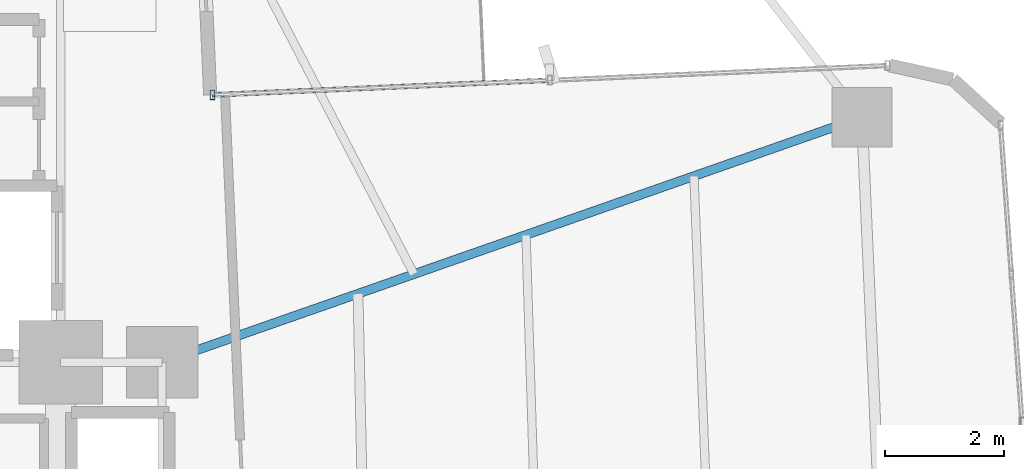
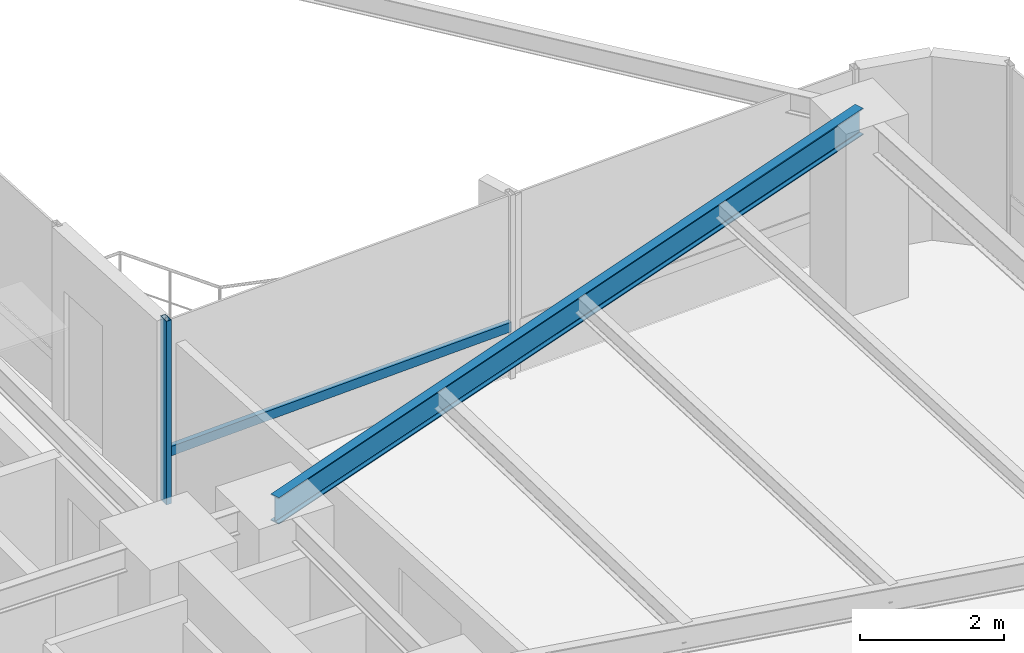
# One storey, part 13 of 26: 2 members, 1 beam, 1 element without a shape of its own.
"""IFC4 building model written with IfcOpenShell, lengths in metres."""

from ifc_helpers import new_model, si_unit, direction, frame, origin, origin_2d, place, context, subcontext, project, spatial, hollow_rectangle, i_section, extrude, source, transform, mapped, material, material_profile, profile_set, type_object, element, aggregate, save


model = new_model("IFC4")

# Units and contexts
model_context = context("Model", 3, precision=1e-05, world=origin(), true_north=direction((0.0, 1.0)))
body_context = subcontext(model_context, "Body", "Model", "MODEL_VIEW")
ifc_project = project(units=[si_unit("LENGTHUNIT", "METRE"), si_unit("AREAUNIT", "SQUARE_METRE"), si_unit("VOLUMEUNIT", "CUBIC_METRE"), si_unit("PLANEANGLEUNIT", "RADIAN"), si_unit("MASSUNIT", "GRAM", prefix="KILO")], contexts=[model_context])

# Site, building, storey
site_placement = place(None, origin())
site = spatial("IfcSite", under=ifc_project, at=site_placement, CompositionType="ELEMENT")
building_placement = place(site_placement, origin())
building = spatial("IfcBuilding", under=site, at=building_placement, Name="Sahyath Konkavel Grand Hotel", CompositionType="ELEMENT")
storey_placement = place(building_placement, frame((0.0, 0.0, 121.5)))
storey = spatial("IfcBuildingStorey", under=building, at=storey_placement, Name="L33", CompositionType="ELEMENT", Elevation=121.5)

# Beam
ifc_material_1 = material(Name="Steel E350", Category="steel")
ifc_material_profile_1 = material_profile(ifc_material_1, i_section(OverallWidth=0.14990234375, OverallDepth=0.449951171875, WebThickness=0.009521484375, FlangeThickness=0.017333984375, FilletRadius=0.014892578125, at=origin_2d()), Name="ISMB 450")
ifc_profile_set_1 = profile_set([ifc_material_profile_1], Name="Steel E350")
beam_type = type_object("IfcBeamType", Name="BM-ISMB450", PredefinedType="BEAM", material=ifc_profile_set_1)
shared_shape_1 = source(origin(), body_context, "Body", "SweptSolid", [
    extrude(i_section(OverallWidth=0.14990234375, OverallDepth=0.449951171875, WebThickness=0.009521484375, FlangeThickness=0.017333984375, FilletRadius=0.014892578125, at=origin_2d()), origin(), (0.0, 0.0, 1.0), 12.430908203125),
])
beam_placement = place(storey_placement, frame((5.5, 2.39990234375, 2.885009765625), z_axis=(0.943819157235, 0.330462400941, 0.0), x_axis=(-0.330462400941, 0.943819157235, 0.0)))
element("IfcBeam", 1, at=beam_placement, inside=storey, type_object=beam_type, Name="L33 Cruciform Radial Girder EB", PredefinedType="BEAM", context=body_context, shape_type="MappedRepresentation", body=[
    mapped(shared_shape_1, transform((0.0, 0.0, 0.0), scale=1.0)),
])

# Curtain wall, members
ifc_material_2 = material(Name="Anodised Bronze Aluminium & Low-E Glazing", Category="aluminium")
curtain_wall_type = type_object("IfcCurtainWallType", Name="CW-ZONE2", PredefinedType="NOTDEFINED", material=ifc_material_2)
curtain_wall_placement = place(storey_placement, origin())
curtain_wall = element("IfcCurtainWall", 2, at=curtain_wall_placement, inside=storey, type_object=curtain_wall_type, Name="L33 Unitised Curtain Wall F7", PredefinedType="NOTDEFINED")
ifc_material_3 = material(Name="Anodised Bronze Aluminium", Category="aluminium")
ifc_material_profile_2 = material_profile(ifc_material_3, hollow_rectangle(XDim=0.080078125, YDim=0.159912109375, WallThickness=0.006103515625, at=origin_2d()), Name="RHS 160x80x6")
ifc_profile_set_2 = profile_set([ifc_material_profile_2], Name="Anodised Bronze Aluminium")
member_type_1 = type_object("IfcMemberType", Name="CW-MUL-160", PredefinedType="MULLION", material=ifc_profile_set_2)
shared_shape_2 = source(origin(), body_context, "Body", "SweptSolid", [
    extrude(hollow_rectangle(XDim=0.080078125, YDim=0.159912109375, WallThickness=0.006103515625, at=origin_2d()), origin(), (0.0, 0.0, 1.0), 3.110107421875),
])
member_1_placement = place(storey_placement, frame((6.345703125, 6.88330078125, 0.0), z_axis=(0.0, 0.0, 1.0), x_axis=(1.0, 0.0, 0.0)))
member_1 = element("IfcMember", 3, at=member_1_placement, type_object=member_type_1, Name="L33 Curtain Wall Mullion F7-2", PredefinedType="MULLION", context=body_context, shape_type="MappedRepresentation", body=[
    mapped(shared_shape_2, transform((0.0, 0.0, 0.0), scale=1.0)),
])
ifc_material_profile_3 = material_profile(ifc_material_3, hollow_rectangle(XDim=0.080078125, YDim=0.159912109375, WallThickness=0.006103515625, at=origin_2d()), Name="RHS 160x80x6")
ifc_profile_set_3 = profile_set([ifc_material_profile_3], Name="Anodised Bronze Aluminium")
member_type_2 = type_object("IfcMemberType", Name="CW-TRN-160", PredefinedType="USERDEFINED", material=ifc_profile_set_3)
shared_shape_3 = source(origin(), body_context, "Body", "SweptSolid", [
    extrude(hollow_rectangle(XDim=0.080078125, YDim=0.159912109375, WallThickness=0.006103515625, at=origin_2d()), origin(), (0.0, 0.0, 1.0), 5.66015625),
])
member_2_placement = place(storey_placement, frame((12.00048828125, 7.13037109375, 0.85009765625), z_axis=(-0.9990468579, -0.043650609628, 0.0), x_axis=(0.043650609628, -0.9990468579, 0.0)))
member_2 = element("IfcMember", 4, at=member_2_placement, type_object=member_type_2, Name="L33 Curtain Wall Transom F7-1-spandrel", ObjectType="TRANSOM", PredefinedType="USERDEFINED", context=body_context, shape_type="MappedRepresentation", body=[
    mapped(shared_shape_3, transform((0.0, 0.0, 0.0), scale=1.0)),
])
aggregate(curtain_wall, [member_1, member_2])

save(model, "model.ifc")
